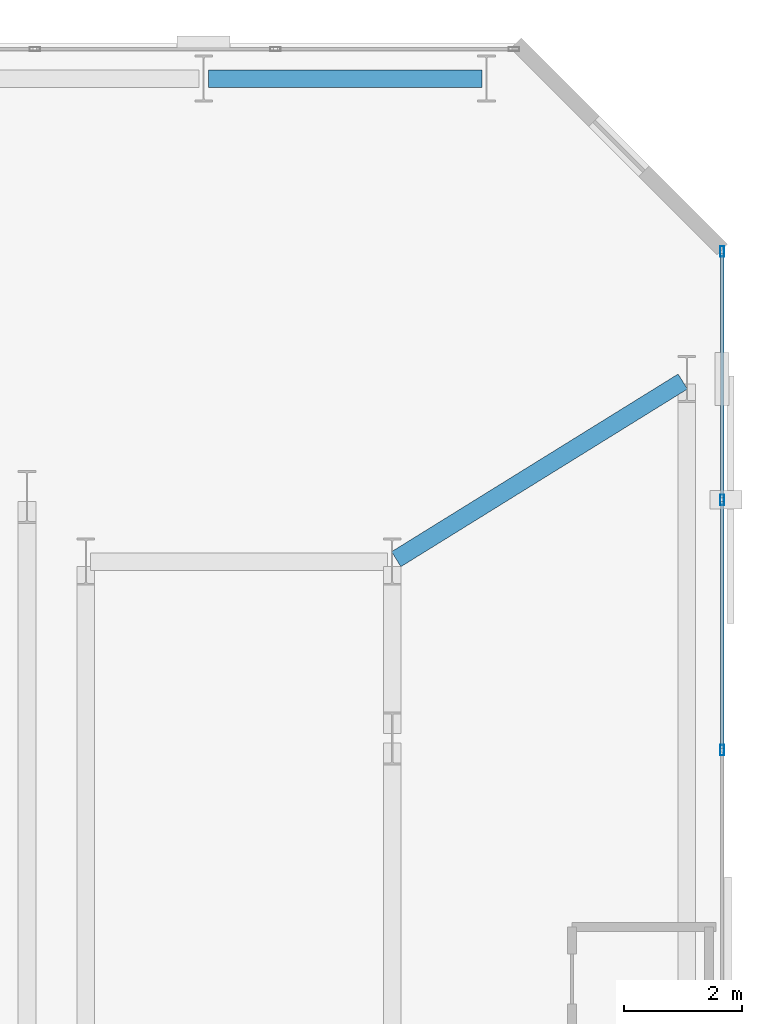
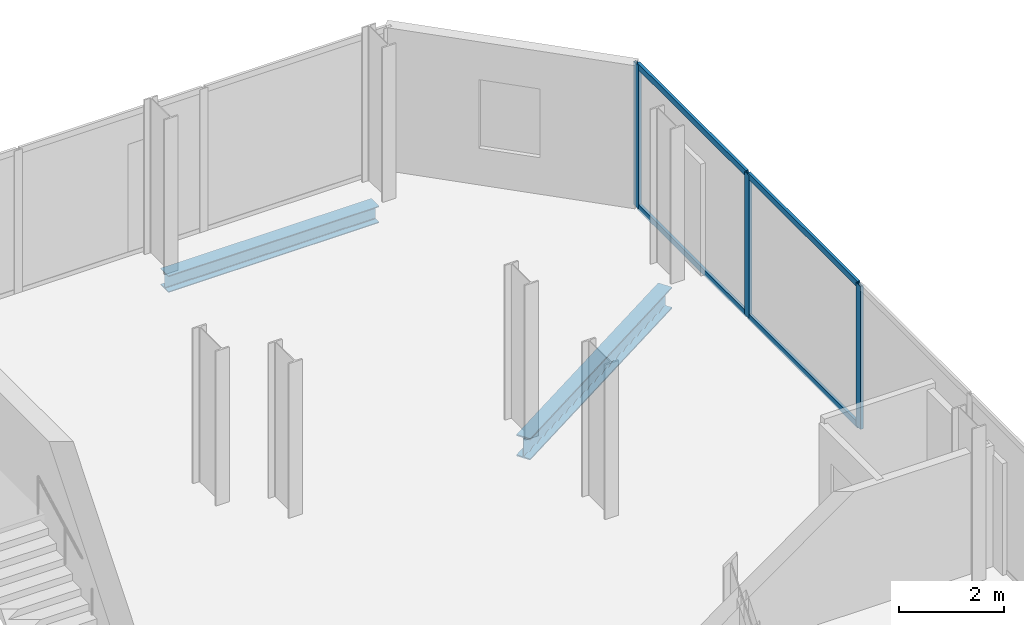
# One storey, part 24 of 32: 7 members, 2 beams, 1 element without a shape of its own.
"""IFC4 building model written with IfcOpenShell, lengths in metres."""

from ifc_helpers import new_model, si_unit, direction, frame, origin, origin_2d, place, context, subcontext, project, spatial, hollow_rectangle, i_section, extrude, material, layer, layer_set, material_profile, profile_set, type_object, element, aggregate, save


model = new_model("IFC4")

# Units and contexts
model_context = context("Model", 3, precision=1e-05, world=origin(), true_north=direction((0.0, 1.0)))
body_context = subcontext(model_context, "Body", "Model", "MODEL_VIEW")
ifc_project = project(units=[si_unit("LENGTHUNIT", "METRE"), si_unit("AREAUNIT", "SQUARE_METRE"), si_unit("VOLUMEUNIT", "CUBIC_METRE"), si_unit("PLANEANGLEUNIT", "RADIAN"), si_unit("MASSUNIT", "GRAM", prefix="KILO")], contexts=[model_context])

# Site, building, storey
site_placement = place(None, origin())
site = spatial("IfcSite", under=ifc_project, at=site_placement, CompositionType="ELEMENT")
building_placement = place(site_placement, origin())
building = spatial("IfcBuilding", under=site, at=building_placement, Name="Catumbela Crestline Tower", CompositionType="ELEMENT")
storey_placement = place(building_placement, frame((0.0, 0.0, 61.8)))
storey = spatial("IfcBuildingStorey", under=building, at=storey_placement, Name="L15", CompositionType="ELEMENT", Elevation=61.8)

# Beam
ifc_material_1 = material(Name="Structural steel S355J2", Category="steel")
ifc_material_profile_1 = material_profile(ifc_material_1, i_section(OverallWidth=0.3, OverallDepth=0.5, WebThickness=0.0145, FlangeThickness=0.028, FilletRadius=0.027, at=origin_2d()), Name="HEB 500")
ifc_profile_set_1 = profile_set([ifc_material_profile_1], Name="Structural steel S355J2")
beam_type_1 = type_object("IfcBeamType", Name="BG-HEB500", PredefinedType="BEAM", material=ifc_profile_set_1)
beam_1_placement = place(storey_placement, frame((50.468, 39.2422, -0.51), z_axis=(0.849908952007, 0.526929571479, 0.0), x_axis=(-0.526929571479, 0.849908952007, 0.0)))
element("IfcBeam", 1, at=beam_1_placement, inside=storey, type_object=beam_type_1, Name="L15 Beam BM-L15-N18", PredefinedType="BEAM", context=body_context, shape_type="SweptSolid", body=[
    extrude(i_section(OverallWidth=0.3, OverallDepth=0.5, WebThickness=0.0145, FlangeThickness=0.028, FilletRadius=0.027, at=origin_2d()), origin(), (0.0, 0.0, 1.0), 5.723),
])

# Curtain wall, members
ifc_material_2 = material(Name="Aluminium alloy AW-6060-T66", Category="aluminium")
ifc_layer = layer(ifc_material_2, 0.18, Name="Aluminium alloy AW-6060-T66")
ifc_layer_set = layer_set([ifc_layer], Name="Aluminium alloy AW-6060-T66")
curtain_wall_type = type_object("IfcCurtainWallType", Name="CWU-Z1", PredefinedType="USERDEFINED", material=ifc_layer_set)
curtain_wall_placement = place(storey_placement, origin())
curtain_wall = element("IfcCurtainWall", 2, at=curtain_wall_placement, inside=storey, type_object=curtain_wall_type, Name="L15 Unitised Curtain Wall CW-L15-E5S1", ObjectType="UNITISED", PredefinedType="USERDEFINED")
ifc_material_profile_2 = material_profile(ifc_material_2, hollow_rectangle(XDim=0.065, YDim=0.18, WallThickness=0.004, at=origin_2d()), Name="ALU 180x65x4")
ifc_profile_set_2 = profile_set([ifc_material_profile_2], Name="Aluminium alloy AW-6060-T66")
member_type_1 = type_object("IfcMemberType", Name="MUL-180X65", PredefinedType="MULLION", material=ifc_profile_set_2)
member_1_placement = place(storey_placement, frame((56.0, 36.0, 0.0), z_axis=(0.0, 0.0, 1.0), x_axis=(-1.0, 0.0, 0.0)))
member_1 = element("IfcMember", 3, at=member_1_placement, type_object=member_type_1, Name="CWU-Z1 mullion 3", PredefinedType="MULLION", context=body_context, shape_type="SweptSolid", body=[
    extrude(hollow_rectangle(XDim=0.065, YDim=0.18, WallThickness=0.004, at=origin_2d()), origin(), (0.0, 0.0, 1.0), 3.33),
])
member_2_placement = place(storey_placement, frame((56.0, 40.25, 0.0), z_axis=(0.0, 0.0, 1.0), x_axis=(-1.0, 0.0, 0.0)))
member_2 = element("IfcMember", 4, at=member_2_placement, type_object=member_type_1, Name="CWU-Z1 mullion 4", PredefinedType="MULLION", context=body_context, shape_type="SweptSolid", body=[
    extrude(hollow_rectangle(XDim=0.065, YDim=0.18, WallThickness=0.004, at=origin_2d()), origin(), (0.0, 0.0, 1.0), 3.33),
])
member_3_placement = place(storey_placement, frame((56.0, 44.4675, 0.0), z_axis=(0.0, 0.0, 1.0), x_axis=(-1.0, 0.0, 0.0)))
member_3 = element("IfcMember", 5, at=member_3_placement, type_object=member_type_1, Name="CWU-Z1 mullion 5", PredefinedType="MULLION", context=body_context, shape_type="SweptSolid", body=[
    extrude(hollow_rectangle(XDim=0.065, YDim=0.18, WallThickness=0.004, at=origin_2d()), origin(), (0.0, 0.0, 1.0), 3.33),
])

# Beam
ifc_material_profile_3 = material_profile(ifc_material_1, i_section(OverallWidth=0.3, OverallDepth=0.39, WebThickness=0.011, FlangeThickness=0.019, FilletRadius=0.027, at=origin_2d()), Name="HEA 400")
ifc_profile_set_3 = profile_set([ifc_material_profile_3], Name="Structural steel S355J2")
beam_type_2 = type_object("IfcBeamType", Name="BS-HEA400", PredefinedType="SPANDREL", material=ifc_profile_set_3)
beam_2_placement = place(storey_placement, frame((47.28, 47.4, -0.455), z_axis=(1.0, 0.0, 0.0), x_axis=(0.0, 1.0, 0.0)))
element("IfcBeam", 6, at=beam_2_placement, inside=storey, type_object=beam_type_2, Name="L15 Spandrel SP-L15-NF24", PredefinedType="SPANDREL", context=body_context, shape_type="SweptSolid", body=[
    extrude(i_section(OverallWidth=0.3, OverallDepth=0.39, WebThickness=0.011, FlangeThickness=0.019, FilletRadius=0.027, at=origin_2d()), origin(), (0.0, 0.0, 1.0), 4.64),
])

# Member
ifc_material_profile_4 = material_profile(ifc_material_2, hollow_rectangle(XDim=0.06, YDim=0.14, WallThickness=0.004, at=origin_2d()), Name="ALU 140x60x4")
ifc_profile_set_4 = profile_set([ifc_material_profile_4], Name="Aluminium alloy AW-6060-T66")
member_type_2 = type_object("IfcMemberType", Name="TRN-140X60", PredefinedType="USERDEFINED", material=ifc_profile_set_4)
member_4_placement = place(storey_placement, frame((56.0, 36.0325, 0.03), z_axis=(0.0, 1.0, 0.0), x_axis=(-1.0, 0.0, 0.0)))
member_4 = element("IfcMember", 7, at=member_4_placement, type_object=member_type_2, Name="CWU-Z1 transom 3.1", ObjectType="TRANSOM", PredefinedType="USERDEFINED", context=body_context, shape_type="SweptSolid", body=[
    extrude(hollow_rectangle(XDim=0.06, YDim=0.14, WallThickness=0.004, at=origin_2d()), origin(), (0.0, 0.0, 1.0), 4.185),
])

member_5_placement = place(storey_placement, frame((56.0, 36.0325, 3.3), z_axis=(0.0, 1.0, 0.0), x_axis=(-1.0, 0.0, 0.0)))
member_5 = element("IfcMember", 8, at=member_5_placement, type_object=member_type_2, Name="CWU-Z1 transom 3.2", ObjectType="TRANSOM", PredefinedType="USERDEFINED", context=body_context, shape_type="SweptSolid", body=[
    extrude(hollow_rectangle(XDim=0.06, YDim=0.14, WallThickness=0.004, at=origin_2d()), origin(), (0.0, 0.0, 1.0), 4.185),
])

member_6_placement = place(storey_placement, frame((56.0, 40.2825, 0.03), z_axis=(0.0, 1.0, 0.0), x_axis=(-1.0, 0.0, 0.0)))
member_6 = element("IfcMember", 9, at=member_6_placement, type_object=member_type_2, Name="CWU-Z1 transom 4.1", ObjectType="TRANSOM", PredefinedType="USERDEFINED", context=body_context, shape_type="SweptSolid", body=[
    extrude(hollow_rectangle(XDim=0.06, YDim=0.14, WallThickness=0.004, at=origin_2d()), origin(), (0.0, 0.0, 1.0), 4.1525),
])

member_7_placement = place(storey_placement, frame((56.0, 40.2825, 3.3), z_axis=(0.0, 1.0, 0.0), x_axis=(-1.0, 0.0, 0.0)))
member_7 = element("IfcMember", 10, at=member_7_placement, type_object=member_type_2, Name="CWU-Z1 transom 4.2", ObjectType="TRANSOM", PredefinedType="USERDEFINED", context=body_context, shape_type="SweptSolid", body=[
    extrude(hollow_rectangle(XDim=0.06, YDim=0.14, WallThickness=0.004, at=origin_2d()), origin(), (0.0, 0.0, 1.0), 4.1525),
])

aggregate(curtain_wall, [member_1, member_2, member_3, member_4, member_5, member_6, member_7])

save(model, "model.ifc")
